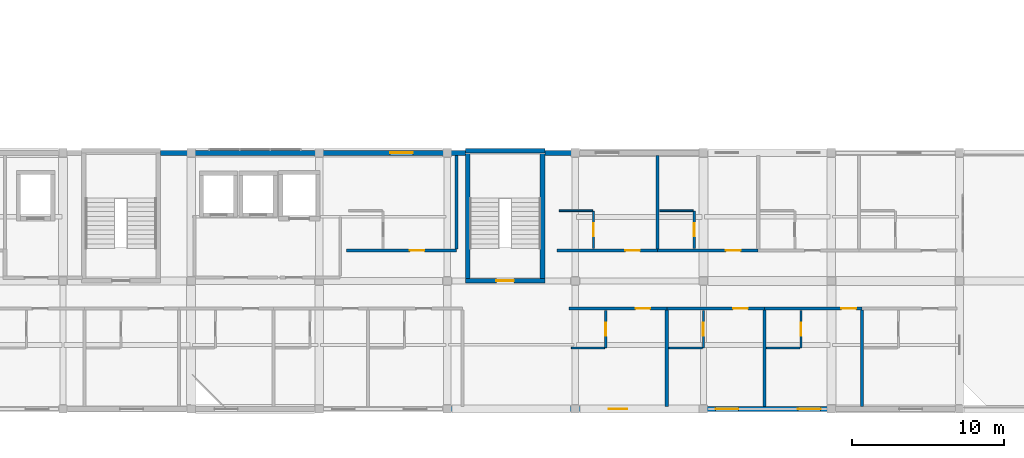
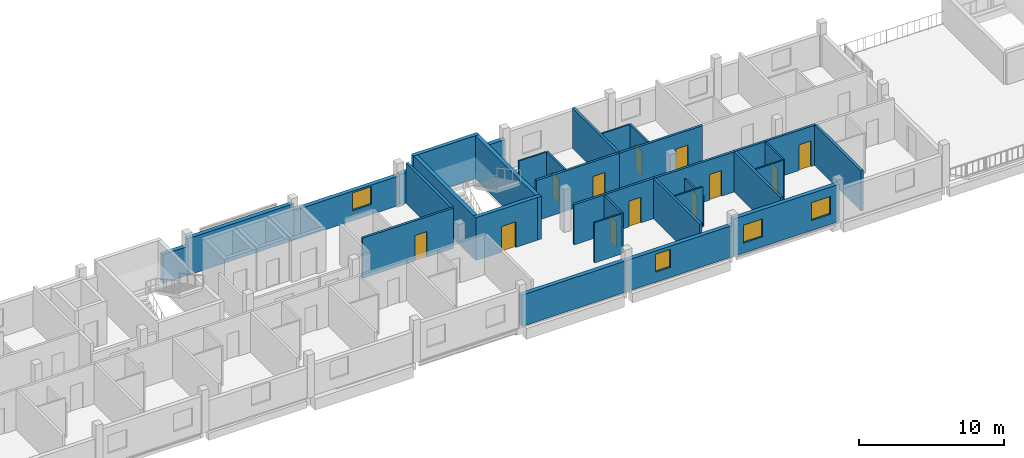
# One storey, part 19 of 26: 32 walls, 12 doors, 4 windows, 16 openings.
"""IFC4 building model written with IfcOpenShell, lengths in metres."""

from ifc_helpers import new_model, si_unit, derived_unit, direction, frame, frame_2d, origin, place, context, subcontext, project, spatial, rectangle, extrude, material, layer, layer_set, type_object, element, fill, save


model = new_model("IFC4")

# Units and contexts
model_context = context("Model", 3, precision=1e-05, world=origin(), true_north=direction((0.0, 1.0)))
body_context = subcontext(model_context, "Body", "Model", "MODEL_VIEW")
ifc_project = project(units=[si_unit("LENGTHUNIT", "METRE"), si_unit("AREAUNIT", "SQUARE_METRE"), si_unit("VOLUMEUNIT", "CUBIC_METRE"), si_unit("PLANEANGLEUNIT", "RADIAN"), si_unit("MASSUNIT", "GRAM", prefix="KILO"), derived_unit("THERMALTRANSMITTANCEUNIT", [(si_unit("POWERUNIT", "WATT"), 1), (si_unit("LENGTHUNIT", "METRE"), -2), (si_unit("THERMODYNAMICTEMPERATUREUNIT", "KELVIN"), -1)])], contexts=[model_context])

# Site, building, storey
site_placement = place(None, origin())
site = spatial("IfcSite", under=ifc_project, at=site_placement, CompositionType="ELEMENT")
building_placement = place(site_placement, origin())
building = spatial("IfcBuilding", under=site, at=building_placement, Name="Barrovel Congress Hotel", CompositionType="ELEMENT")
storey_placement = place(building_placement, frame((0.0, 0.0, 32.699951171875)))
storey = spatial("IfcBuildingStorey", under=building, at=storey_placement, Name="L08", CompositionType="ELEMENT", Elevation=32.699951171875)

# Wall, opening, window
ifc_material_1 = material(Name="Fired Clay Brick Masonry", Category="masonry")
ifc_layer_1 = layer(ifc_material_1, 0.320068359375)
ifc_layer_set_1 = layer_set([ifc_layer_1], Name="Fired Clay Brick Masonry")
wall_type_1 = type_object("IfcWallType", Name="EW-BRK320", PredefinedType="STANDARD", material=ifc_layer_set_1)
wall_1_placement = place(storey_placement, frame((100.800048828125, 4.199951171875, 0.0), z_axis=(0.0, 0.0, 1.0), x_axis=(1.0, 0.0, 0.0)))
wall_1 = element("IfcWall", 1, at=wall_1_placement, inside=storey, type_object=wall_type_1, Name="EW:L08:HS-S", PredefinedType="STANDARD", context=body_context, shape_type="SweptSolid", body=[
    extrude(rectangle(XDim=16.800048828125, YDim=0.320068359375, at=frame_2d((8.39990234375, 0.0))), origin(), (0.0, 0.0, 1.0), 2.630126953125),
])
opening_1_placement = place(wall_1_placement, frame((10.60009765625, 0.0, 0.85009765625)))
opening_1 = element("IfcOpeningElement", 2, at=opening_1_placement, cuts=wall_1, Name="Opening WN-06", PredefinedType="OPENING", context=body_context, shape_type="SweptSolid", body=[
    extrude(rectangle(XDim=1.199951171875, YDim=1.5, at=frame_2d((0.60009765625, 0.75))), frame((0.0, 0.169921875, 0.0), z_axis=(0.0, -1.0, 0.0), x_axis=(1.0, 0.0, 0.0)), (0.0, 0.0, 1.0), 0.340087890625),
])
ifc_material_2 = material(Name="Double Low-E Insulated Glazing", Category="glass")
window_type_1 = type_object("IfcWindowType", Name="WIN-WN-06", PartitioningType="SINGLE_PANEL", PredefinedType="WINDOW", material=ifc_material_2)
window_1_placement = place(opening_1_placement, origin())
window_1 = element("IfcWindow", 3, at=window_1_placement, inside=storey, type_object=window_type_1, Name="WIN:L08:U13", OverallHeight=1.5, OverallWidth=1.199951171875, PartitioningType="SINGLE_PANEL", PredefinedType="WINDOW", context=body_context, shape_type="SweptSolid", body=[
    extrude(rectangle(XDim=1.199951171875, YDim=1.5, at=frame_2d((0.60009765625, 0.75))), frame((0.0, 0.030029296875, 0.0), z_axis=(0.0, -1.0, 0.0), x_axis=(1.0, 0.0, 0.0)), (0.0, 0.0, 1.0), 0.06005859375),
])
fill(opening_1, window_1)

# Wall
wall_2_placement = place(storey_placement, frame((92.39990234375, 21.0, 0.0), z_axis=(0.0, 0.0, 1.0), x_axis=(-1.0, 0.0, 0.0)))
element("IfcWall", 4, at=wall_2_placement, inside=storey, type_object=wall_type_1, Name="EW:L08:HS-NE-2", PredefinedType="STANDARD", context=body_context, shape_type="SweptSolid", body=[
    extrude(rectangle(XDim=8.39990234375, YDim=0.320068359375, at=frame_2d((4.199951171875, 0.0))), origin(), (0.0, 0.0, 1.0), 3.070068359375),
])

# Wall, openings, windows
wall_3_placement = place(storey_placement, frame((117.60009765625, 4.199951171875, 0.0), z_axis=(0.0, 0.0, 1.0), x_axis=(1.0, 0.0, 0.0)))
wall_3 = element("IfcWall", 5, at=wall_3_placement, inside=storey, type_object=wall_type_1, Name="EW:L08:HS-S:P12", PredefinedType="STANDARD", context=body_context, shape_type="SweptSolid", body=[
    extrude(rectangle(XDim=8.39990234375, YDim=0.320068359375, at=frame_2d((4.199951171875, 0.0))), origin(), (0.0, 0.0, 1.0), 3.133056640625),
])
opening_2_placement = place(wall_3_placement, frame((0.800048828125, 0.0, 0.85009765625)))
opening_2 = element("IfcOpeningElement", 6, at=opening_2_placement, cuts=wall_3, Name="Opening WN-07", PredefinedType="OPENING", context=body_context, shape_type="SweptSolid", body=[
    extrude(rectangle(XDim=1.5, YDim=1.5, at=frame_2d((0.75, 0.75))), frame((0.0, 0.169921875, 0.0), z_axis=(0.0, -1.0, 0.0), x_axis=(1.0, 0.0, 0.0)), (0.0, 0.0, 1.0), 0.340087890625),
])
opening_3_placement = place(wall_3_placement, frame((6.199951171875, 0.0, 0.85009765625)))
opening_3 = element("IfcOpeningElement", 7, at=opening_3_placement, cuts=wall_3, Name="Opening WN-07", PredefinedType="OPENING", context=body_context, shape_type="SweptSolid", body=[
    extrude(rectangle(XDim=1.5, YDim=1.5, at=frame_2d((0.75, 0.75))), frame((0.0, 0.169921875, 0.0), z_axis=(0.0, -1.0, 0.0), x_axis=(1.0, 0.0, 0.0)), (0.0, 0.0, 1.0), 0.340087890625),
])
window_type_2 = type_object("IfcWindowType", Name="WIN-WN-07", PartitioningType="SINGLE_PANEL", PredefinedType="WINDOW", material=ifc_material_2)
window_2_placement = place(opening_2_placement, origin())
window_2 = element("IfcWindow", 8, at=window_2_placement, inside=storey, type_object=window_type_2, Name="WIN:L08:U14", OverallHeight=1.5, OverallWidth=1.5, PartitioningType="SINGLE_PANEL", PredefinedType="WINDOW", context=body_context, shape_type="SweptSolid", body=[
    extrude(rectangle(XDim=1.5, YDim=1.5, at=frame_2d((0.75, 0.75))), frame((0.0, 0.030029296875, 0.0), z_axis=(0.0, -1.0, 0.0), x_axis=(1.0, 0.0, 0.0)), (0.0, 0.0, 1.0), 0.06005859375),
])
fill(opening_2, window_2)
window_3_placement = place(opening_3_placement, origin())
window_3 = element("IfcWindow", 9, at=window_3_placement, inside=storey, type_object=window_type_2, Name="WIN:L08:U15", OverallHeight=1.5, OverallWidth=1.5, PartitioningType="SINGLE_PANEL", PredefinedType="WINDOW", context=body_context, shape_type="SweptSolid", body=[
    extrude(rectangle(XDim=1.5, YDim=1.5, at=frame_2d((0.75, 0.75))), frame((0.0, 0.030029296875, 0.0), z_axis=(0.0, -1.0, 0.0), x_axis=(1.0, 0.0, 0.0)), (0.0, 0.0, 1.0), 0.06005859375),
])
fill(opening_3, window_3)

# Walls
wall_4_placement = place(storey_placement, frame((109.199951171875, 21.0, 0.0), z_axis=(0.0, 0.0, 1.0), x_axis=(-1.0, 0.0, 0.0)))
element("IfcWall", 10, at=wall_4_placement, inside=storey, type_object=wall_type_1, Name="EW:L08:HS-NE-1:P03", PredefinedType="STANDARD", context=body_context, shape_type="SweptSolid", body=[
    extrude(rectangle(XDim=2.0, YDim=0.320068359375, at=frame_2d((1.0, 0.0))), origin(), (0.0, 0.0, 1.0), 2.580078125),
])
wall_5_placement = place(storey_placement, frame((102.0, 21.0, 0.0), z_axis=(0.0, 0.0, 1.0), x_axis=(-1.0, 0.0, 0.0)))
element("IfcWall", 11, at=wall_5_placement, inside=storey, type_object=wall_type_1, Name="EW:L08:HS-NE-2:P01", PredefinedType="STANDARD", context=body_context, shape_type="SweptSolid", body=[
    extrude(rectangle(XDim=1.199951171875, YDim=0.320068359375, at=frame_2d((0.60009765625, 0.0))), origin(), (0.0, 0.0, 1.0), 2.580078125),
])

# Wall, opening, window
wall_6_placement = place(storey_placement, frame((100.800048828125, 21.0, 0.0), z_axis=(0.0, 0.0, 1.0), x_axis=(-1.0, 0.0, 0.0)))
wall_6 = element("IfcWall", 12, at=wall_6_placement, inside=storey, type_object=wall_type_1, Name="EW:L08:HS-NE-2:P02", PredefinedType="STANDARD", context=body_context, shape_type="SweptSolid", body=[
    extrude(rectangle(XDim=8.400146484375, YDim=0.320068359375, at=frame_2d((4.2001953125, 0.0))), origin(), (0.0, 0.0, 1.0), 2.47998046875),
])
opening_4_placement = place(wall_6_placement, frame((2.25, 0.0, 0.85009765625)))
opening_4 = element("IfcOpeningElement", 13, at=opening_4_placement, cuts=wall_6, Name="Opening WN-07", PredefinedType="OPENING", context=body_context, shape_type="SweptSolid", body=[
    extrude(rectangle(XDim=1.5, YDim=1.5, at=frame_2d((0.75, 0.75))), frame((0.0, 0.169921875, 0.0), z_axis=(0.0, -1.0, 0.0), x_axis=(1.0, 0.0, 0.0)), (0.0, 0.0, 1.0), 0.340087890625),
])
window_4_placement = place(opening_4_placement, origin())
window_4 = element("IfcWindow", 14, at=window_4_placement, inside=storey, type_object=window_type_2, Name="WIN:L08:U20", OverallHeight=1.5, OverallWidth=1.5, PartitioningType="SINGLE_PANEL", PredefinedType="WINDOW", context=body_context, shape_type="SweptSolid", body=[
    extrude(rectangle(XDim=1.5, YDim=1.5, at=frame_2d((0.75, 0.75))), frame((0.0, 0.030029296875, 0.0), z_axis=(0.0, -1.0, 0.0), x_axis=(1.0, 0.0, 0.0)), (0.0, 0.0, 1.0), 0.06005859375),
])
fill(opening_4, window_4)

# Wall
wall_7_placement = place(storey_placement, frame((84.0, 21.0, 0.0), z_axis=(0.0, 0.0, 1.0), x_axis=(-1.0, 0.0, 0.0)))
element("IfcWall", 15, at=wall_7_placement, inside=storey, type_object=wall_type_1, Name="EW:L08:HS-NE-2:P04", PredefinedType="STANDARD", context=body_context, shape_type="SweptSolid", body=[
    extrude(rectangle(XDim=2.0, YDim=0.320068359375, at=frame_2d((1.0, 0.0))), origin(), (0.0, 0.0, 1.0), 2.429931640625),
])

# Wall, opening, door
ifc_material_3 = material(Name="Gypsum Acoustic Stud", Category="gypsum")
ifc_layer_2 = layer(ifc_material_3, 0.179931640625)
ifc_layer_set_2 = layer_set([ifc_layer_2], Name="Gypsum Acoustic Stud")
wall_type_2 = type_object("IfcWallType", Name="PW-ACU-180", PredefinedType="PARTITIONING", material=ifc_layer_set_2)
wall_8_placement = place(storey_placement, frame((108.800048828125, 10.800048828125, 0.0), z_axis=(0.0, 0.0, 1.0), x_axis=(1.0, 0.0, 0.0)))
wall_8 = element("IfcWall", 16, at=wall_8_placement, inside=storey, type_object=wall_type_2, Name="PW:L08:U13:COR", PredefinedType="PARTITIONING", context=body_context, shape_type="SweptSolid", body=[
    extrude(rectangle(XDim=6.39990234375, YDim=0.179931640625, at=frame_2d((3.199951171875, 0.0))), origin(), (0.0, 0.0, 1.0), 3.375),
])
opening_5_placement = place(wall_8_placement, frame((4.35498046875, 0.0, 0.0)))
opening_5 = element("IfcOpeningElement", 17, at=opening_5_placement, cuts=wall_8, Name="Opening ID-HTL", PredefinedType="OPENING", context=body_context, shape_type="SweptSolid", body=[
    extrude(rectangle(XDim=0.9599609375, YDim=2.14990234375, at=frame_2d((0.47998046875, 1.074951171875))), frame((0.0, 0.10009765625, 0.0), z_axis=(0.0, -1.0, 0.0), x_axis=(1.0, 0.0, 0.0)), (0.0, 0.0, 1.0), 0.199951171875),
])
ifc_material_4 = material(Name="Solid Oak Acoustic Timber Door", Category="wood")
door_type_1 = type_object("IfcDoorType", Name="IDR-ID-HTL", OperationType="NOTDEFINED", PredefinedType="DOOR", material=ifc_material_4)
door_1_placement = place(opening_5_placement, origin())
door_1 = element("IfcDoor", 18, at=door_1_placement, inside=storey, type_object=door_type_1, Name="DR:L08:U13:ENT", OperationType="SINGLE_SWING_RIGHT", OverallHeight=2.14990234375, OverallWidth=0.9599609375, PredefinedType="DOOR", context=body_context, shape_type="SweptSolid", body=[
    extrude(rectangle(XDim=0.9599609375, YDim=2.14990234375, at=frame_2d((0.47998046875, 1.074951171875))), frame((0.0, 0.02490234375, 0.0), z_axis=(0.0, -1.0, 0.0), x_axis=(1.0, 0.0, 0.0)), (0.0, 0.0, 1.0), 0.050048828125),
])
fill(opening_5, door_1)

wall_9_placement = place(storey_placement, frame((115.199951171875, 10.800048828125, 0.0), z_axis=(0.0, 0.0, 1.0), x_axis=(1.0, 0.0, 0.0)))
wall_9 = element("IfcWall", 19, at=wall_9_placement, inside=storey, type_object=wall_type_2, Name="PW:L08:U14:COR", PredefinedType="PARTITIONING", context=body_context, shape_type="SweptSolid", body=[
    extrude(rectangle(XDim=6.400146484375, YDim=0.179931640625, at=frame_2d((3.2001953125, 0.0))), origin(), (0.0, 0.0, 1.0), 3.375),
])
opening_6_placement = place(wall_9_placement, frame((4.35498046875, 0.0, 0.0)))
opening_6 = element("IfcOpeningElement", 20, at=opening_6_placement, cuts=wall_9, Name="Opening ID-HTL", PredefinedType="OPENING", context=body_context, shape_type="SweptSolid", body=[
    extrude(rectangle(XDim=0.9599609375, YDim=2.14990234375, at=frame_2d((0.47998046875, 1.074951171875))), frame((0.0, 0.10009765625, 0.0), z_axis=(0.0, -1.0, 0.0), x_axis=(1.0, 0.0, 0.0)), (0.0, 0.0, 1.0), 0.199951171875),
])
door_2_placement = place(opening_6_placement, origin())
door_2 = element("IfcDoor", 21, at=door_2_placement, inside=storey, type_object=door_type_1, Name="DR:L08:U14:ENT", OperationType="SINGLE_SWING_RIGHT", OverallHeight=2.14990234375, OverallWidth=0.9599609375, PredefinedType="DOOR", context=body_context, shape_type="SweptSolid", body=[
    extrude(rectangle(XDim=0.9599609375, YDim=2.14990234375, at=frame_2d((0.47998046875, 1.074951171875))), frame((0.0, 0.02490234375, 0.0), z_axis=(0.0, -1.0, 0.0), x_axis=(1.0, 0.0, 0.0)), (0.0, 0.0, 1.0), 0.050048828125),
])
fill(opening_6, door_2)

wall_10_placement = place(storey_placement, frame((121.60009765625, 10.800048828125, 0.0), z_axis=(0.0, 0.0, 1.0), x_axis=(1.0, 0.0, 0.0)))
wall_10 = element("IfcWall", 22, at=wall_10_placement, inside=storey, type_object=wall_type_2, Name="PW:L08:U15:COR", PredefinedType="PARTITIONING", context=body_context, shape_type="SweptSolid", body=[
    extrude(rectangle(XDim=6.39990234375, YDim=0.179931640625, at=frame_2d((3.199951171875, 0.0))), origin(), (0.0, 0.0, 1.0), 3.375),
])
opening_7_placement = place(wall_10_placement, frame((5.054931640625, 0.0, 0.0)))
opening_7 = element("IfcOpeningElement", 23, at=opening_7_placement, cuts=wall_10, Name="Opening ID-HTL", PredefinedType="OPENING", context=body_context, shape_type="SweptSolid", body=[
    extrude(rectangle(XDim=0.9599609375, YDim=2.14990234375, at=frame_2d((0.47998046875, 1.074951171875))), frame((0.0, 0.10009765625, 0.0), z_axis=(0.0, -1.0, 0.0), x_axis=(1.0, 0.0, 0.0)), (0.0, 0.0, 1.0), 0.199951171875),
])
door_3_placement = place(opening_7_placement, origin())
door_3 = element("IfcDoor", 24, at=door_3_placement, inside=storey, type_object=door_type_1, Name="DR:L08:U15:ENT", OperationType="SINGLE_SWING_RIGHT", OverallHeight=2.14990234375, OverallWidth=0.9599609375, PredefinedType="DOOR", context=body_context, shape_type="SweptSolid", body=[
    extrude(rectangle(XDim=0.9599609375, YDim=2.14990234375, at=frame_2d((0.47998046875, 1.074951171875))), frame((0.0, 0.02490234375, 0.0), z_axis=(0.0, -1.0, 0.0), x_axis=(1.0, 0.0, 0.0)), (0.0, 0.0, 1.0), 0.050048828125),
])
fill(opening_7, door_3)

wall_11_placement = place(storey_placement, frame((94.199951171875, 14.60009765625, 0.0), z_axis=(0.0, 0.0, 1.0), x_axis=(1.0, 0.0, 0.0)))
wall_11 = element("IfcWall", 25, at=wall_11_placement, inside=storey, type_object=wall_type_2, Name="PW:L08:U20:COR", PredefinedType="PARTITIONING", context=body_context, shape_type="SweptSolid", body=[
    extrude(rectangle(XDim=7.199951171875, YDim=0.179931640625, at=frame_2d((3.60009765625, 0.0))), origin(), (0.0, 0.0, 1.0), 3.375),
])
opening_8_placement = place(wall_11_placement, frame((4.15087890625, 0.0, 0.0)))
opening_8 = element("IfcOpeningElement", 26, at=opening_8_placement, cuts=wall_11, Name="Opening ID-HTL", PredefinedType="OPENING", context=body_context, shape_type="SweptSolid", body=[
    extrude(rectangle(XDim=0.9599609375, YDim=2.14990234375, at=frame_2d((0.47998046875, 1.074951171875))), frame((0.0, 0.10009765625, 0.0), z_axis=(0.0, -1.0, 0.0), x_axis=(1.0, 0.0, 0.0)), (0.0, 0.0, 1.0), 0.199951171875),
])
door_4_placement = place(opening_8_placement, origin())
door_4 = element("IfcDoor", 27, at=door_4_placement, inside=storey, type_object=door_type_1, Name="DR:L08:U20:ENT", OperationType="SINGLE_SWING_RIGHT", OverallHeight=2.14990234375, OverallWidth=0.9599609375, PredefinedType="DOOR", context=body_context, shape_type="SweptSolid", body=[
    extrude(rectangle(XDim=0.9599609375, YDim=2.14990234375, at=frame_2d((0.47998046875, 1.074951171875))), frame((0.0, 0.02490234375, 0.0), z_axis=(0.0, -1.0, 0.0), x_axis=(1.0, 0.0, 0.0)), (0.0, 0.0, 1.0), 0.050048828125),
])
fill(opening_8, door_4)

wall_12_placement = place(storey_placement, frame((108.0, 14.60009765625, 0.0), z_axis=(0.0, 0.0, 1.0), x_axis=(1.0, 0.0, 0.0)))
wall_12 = element("IfcWall", 28, at=wall_12_placement, inside=storey, type_object=wall_type_2, Name="PW:L08:U21:COR", PredefinedType="PARTITIONING", context=body_context, shape_type="SweptSolid", body=[
    extrude(rectangle(XDim=6.60009765625, YDim=0.179931640625, at=frame_2d((3.300048828125, 0.0))), origin(), (0.0, 0.0, 1.0), 3.375),
])
opening_9_placement = place(wall_12_placement, frame((4.47900390625, 0.0, 0.0)))
opening_9 = element("IfcOpeningElement", 29, at=opening_9_placement, cuts=wall_12, Name="Opening ID-HTL", PredefinedType="OPENING", context=body_context, shape_type="SweptSolid", body=[
    extrude(rectangle(XDim=0.9599609375, YDim=2.14990234375, at=frame_2d((0.47998046875, 1.074951171875))), frame((0.0, 0.10009765625, 0.0), z_axis=(0.0, -1.0, 0.0), x_axis=(1.0, 0.0, 0.0)), (0.0, 0.0, 1.0), 0.199951171875),
])
door_5_placement = place(opening_9_placement, origin())
door_5 = element("IfcDoor", 30, at=door_5_placement, inside=storey, type_object=door_type_1, Name="DR:L08:U21:ENT", OperationType="SINGLE_SWING_RIGHT", OverallHeight=2.14990234375, OverallWidth=0.9599609375, PredefinedType="DOOR", context=body_context, shape_type="SweptSolid", body=[
    extrude(rectangle(XDim=0.9599609375, YDim=2.14990234375, at=frame_2d((0.47998046875, 1.074951171875))), frame((0.0, 0.02490234375, 0.0), z_axis=(0.0, -1.0, 0.0), x_axis=(1.0, 0.0, 0.0)), (0.0, 0.0, 1.0), 0.050048828125),
])
fill(opening_9, door_5)

wall_13_placement = place(storey_placement, frame((114.60009765625, 14.60009765625, 0.0), z_axis=(0.0, 0.0, 1.0), x_axis=(1.0, 0.0, 0.0)))
wall_13 = element("IfcWall", 31, at=wall_13_placement, inside=storey, type_object=wall_type_2, Name="PW:L08:U22:COR", PredefinedType="PARTITIONING", context=body_context, shape_type="SweptSolid", body=[
    extrude(rectangle(XDim=6.599853515625, YDim=0.179931640625, at=frame_2d((3.2998046875, 0.0))), origin(), (0.0, 0.0, 1.0), 3.375),
])
opening_10_placement = place(wall_13_placement, frame((4.47900390625, 0.0, 0.0)))
opening_10 = element("IfcOpeningElement", 32, at=opening_10_placement, cuts=wall_13, Name="Opening ID-HTL", PredefinedType="OPENING", context=body_context, shape_type="SweptSolid", body=[
    extrude(rectangle(XDim=0.9599609375, YDim=2.14990234375, at=frame_2d((0.47998046875, 1.074951171875))), frame((0.0, 0.10009765625, 0.0), z_axis=(0.0, -1.0, 0.0), x_axis=(1.0, 0.0, 0.0)), (0.0, 0.0, 1.0), 0.199951171875),
])
door_6_placement = place(opening_10_placement, origin())
door_6 = element("IfcDoor", 33, at=door_6_placement, inside=storey, type_object=door_type_1, Name="DR:L08:U22:ENT", OperationType="SINGLE_SWING_RIGHT", OverallHeight=2.14990234375, OverallWidth=0.9599609375, PredefinedType="DOOR", context=body_context, shape_type="SweptSolid", body=[
    extrude(rectangle(XDim=0.9599609375, YDim=2.14990234375, at=frame_2d((0.47998046875, 1.074951171875))), frame((0.0, 0.02490234375, 0.0), z_axis=(0.0, -1.0, 0.0), x_axis=(1.0, 0.0, 0.0)), (0.0, 0.0, 1.0), 0.050048828125),
])
fill(opening_10, door_6)

# Walls
ifc_layer_3 = layer(ifc_material_3, 0.1201171875)
ifc_layer_set_3 = layer_set([ifc_layer_3], Name="Gypsum Acoustic Stud")
wall_type_3 = type_object("IfcWallType", Name="PW-INT-120", PredefinedType="PARTITIONING", material=ifc_layer_set_3)
for number, where, z_axis, x_axis, name in (
    (34, (108.93994140625, 8.199951171875, 0.0), (0.0, 0.0, 1.0), (1.0, 0.0, 0.0), "PW:L08:U13:B2"),
    (35, (115.340087890625, 8.199951171875, 0.0), (0.0, 0.0, 1.0), (1.0, 0.0, 0.0), "PW:L08:U14:B2"),
    (36, (121.739990234375, 8.199951171875, 0.0), (0.0, 0.0, 1.0), (1.0, 0.0, 0.0), "PW:L08:U15:B2"),
):
    element("IfcWall", number, at=place(storey_placement, frame(where, z_axis=z_axis, x_axis=x_axis)), inside=storey, type_object=wall_type_3, Name=name, PredefinedType="PARTITIONING", context=body_context, shape_type="SweptSolid", body=[
        extrude(rectangle(XDim=2.18994140625, YDim=0.1201171875, at=frame_2d((1.094970703125, 0.0))), origin(), (0.0, 0.0, 1.0), 3.375),
    ])
wall_14_placement = place(storey_placement, frame((108.139892578125, 17.199951171875, 0.0), z_axis=(0.0, 0.0, 1.0), x_axis=(1.0, 0.0, 0.0)))
element("IfcWall", 37, at=wall_14_placement, inside=storey, type_object=wall_type_3, Name="PW:L08:U21:B2", PredefinedType="PARTITIONING", context=body_context, shape_type="SweptSolid", body=[
    extrude(rectangle(XDim=2.190185546875, YDim=0.1201171875, at=frame_2d((1.09521484375, 0.0))), origin(), (0.0, 0.0, 1.0), 3.375),
])
wall_15_placement = place(storey_placement, frame((114.739990234375, 17.199951171875, 0.0), z_axis=(0.0, 0.0, 1.0), x_axis=(1.0, 0.0, 0.0)))
element("IfcWall", 38, at=wall_15_placement, inside=storey, type_object=wall_type_3, Name="PW:L08:U22:B2", PredefinedType="PARTITIONING", context=body_context, shape_type="SweptSolid", body=[
    extrude(rectangle(XDim=2.18994140625, YDim=0.1201171875, at=frame_2d((1.094970703125, 0.0))), origin(), (0.0, 0.0, 1.0), 3.375),
])
ifc_layer_4 = layer(ifc_material_1, 0.199951171875)
ifc_layer_set_4 = layer_set([ifc_layer_4], Name="Fired Clay Brick Masonry")
wall_type_4 = type_object("IfcWallType", Name="PW-MAS-200", PredefinedType="PARTITIONING", material=ifc_layer_set_4)
for number, where, z_axis, x_axis, name in (
    (39, (115.199951171875, 4.360107421875, 0.0), (0.0, 0.0, 1.0), (0.0, 1.0, 0.0), "PW:L08:U13:DEM"),
    (40, (121.60009765625, 4.360107421875, 0.0), (0.0, 0.0, 1.0), (0.0, 1.0, 0.0), "PW:L08:U14:DEM"),
    (41, (128.0, 4.360107421875, 0.0), (0.0, 0.0, 1.0), (0.0, 1.0, 0.0), "PW:L08:U15:DEM"),
):
    element("IfcWall", number, at=place(storey_placement, frame(where, z_axis=z_axis, x_axis=x_axis)), inside=storey, type_object=wall_type_4, Name=name, PredefinedType="PARTITIONING", context=body_context, shape_type="SweptSolid", body=[
        extrude(rectangle(XDim=6.349853515625, YDim=0.199951171875, at=frame_2d((3.1748046875, 0.0))), origin(), (0.0, 0.0, 1.0), 3.375),
    ])
for number, where, z_axis, x_axis, name in (
    (42, (101.39990234375, 14.68994140625, 0.0), (0.0, 0.0, 1.0), (0.0, 1.0, 0.0), "PW:L08:U20:DEM"),
    (43, (114.60009765625, 14.68994140625, 0.0), (0.0, 0.0, 1.0), (0.0, 1.0, 0.0), "PW:L08:U21:DEM"),
):
    element("IfcWall", number, at=place(storey_placement, frame(where, z_axis=z_axis, x_axis=x_axis)), inside=storey, type_object=wall_type_4, Name=name, PredefinedType="PARTITIONING", context=body_context, shape_type="SweptSolid", body=[
        extrude(rectangle(XDim=6.150146484375, YDim=0.199951171875, at=frame_2d((3.0751953125, 0.0))), origin(), (0.0, 0.0, 1.0), 3.375),
    ])

# Wall, opening, door
ifc_material_5 = material(Name="Gypsum Moisture Board", Category="gypsum")
ifc_layer_5 = layer(ifc_material_5, 0.139892578125)
ifc_layer_set_5 = layer_set([ifc_layer_5], Name="Gypsum Moisture Board")
wall_type_5 = type_object("IfcWallType", Name="PW-WET-140", PredefinedType="PARTITIONING", material=ifc_layer_set_5)
wall_16_placement = place(storey_placement, frame((111.199951171875, 8.199951171875, 0.0), z_axis=(0.0, 0.0, 1.0), x_axis=(0.0, 1.0, 0.0)))
wall_16 = element("IfcWall", 44, at=wall_16_placement, inside=storey, type_object=wall_type_5, Name="PW:L08:U13:B1", PredefinedType="PARTITIONING", context=body_context, shape_type="SweptSolid", body=[
    extrude(rectangle(XDim=2.4599609375, YDim=0.139892578125, at=frame_2d((1.22998046875, 0.0))), origin(), (0.0, 0.0, 1.0), 3.375),
])
opening_11_placement = place(wall_16_placement, frame((0.800048828125, 0.0, 0.0)))
opening_11 = element("IfcOpeningElement", 45, at=opening_11_placement, cuts=wall_16, Name="Opening ID-ENS", PredefinedType="OPENING", context=body_context, shape_type="SweptSolid", body=[
    extrude(rectangle(XDim=0.860107421875, YDim=2.10009765625, at=frame_2d((0.43017578125, 1.050048828125))), frame((0.0, 0.080078125, 0.0), z_axis=(0.0, -1.0, 0.0), x_axis=(1.0, 0.0, 0.0)), (0.0, 0.0, 1.0), 0.159912109375),
])
ifc_material_6 = material(Name="Lacquered Timber Moisture Door", Category="wood")
door_type_2 = type_object("IfcDoorType", Name="IDR-ID-ENS", OperationType="NOTDEFINED", PredefinedType="DOOR", material=ifc_material_6)
door_7_placement = place(opening_11_placement, origin())
door_7 = element("IfcDoor", 46, at=door_7_placement, inside=storey, type_object=door_type_2, Name="DR:L08:U13:ENS", OperationType="SINGLE_SWING_LEFT", OverallHeight=2.10009765625, OverallWidth=0.860107421875, PredefinedType="DOOR", context=body_context, shape_type="SweptSolid", body=[
    extrude(rectangle(XDim=0.860107421875, YDim=2.10009765625, at=frame_2d((0.43017578125, 1.050048828125))), frame((0.0, 0.02490234375, 0.0), z_axis=(0.0, -1.0, 0.0), x_axis=(1.0, 0.0, 0.0)), (0.0, 0.0, 1.0), 0.050048828125),
])
fill(opening_11, door_7)

wall_17_placement = place(storey_placement, frame((117.60009765625, 8.199951171875, 0.0), z_axis=(0.0, 0.0, 1.0), x_axis=(0.0, 1.0, 0.0)))
wall_17 = element("IfcWall", 47, at=wall_17_placement, inside=storey, type_object=wall_type_5, Name="PW:L08:U14:B1", PredefinedType="PARTITIONING", context=body_context, shape_type="SweptSolid", body=[
    extrude(rectangle(XDim=2.4599609375, YDim=0.139892578125, at=frame_2d((1.22998046875, 0.0))), origin(), (0.0, 0.0, 1.0), 2.530029296875),
])
opening_12_placement = place(wall_17_placement, frame((0.800048828125, 0.0, 0.0)))
opening_12 = element("IfcOpeningElement", 48, at=opening_12_placement, cuts=wall_17, Name="Opening ID-ENS", PredefinedType="OPENING", context=body_context, shape_type="SweptSolid", body=[
    extrude(rectangle(XDim=0.860107421875, YDim=2.10009765625, at=frame_2d((0.43017578125, 1.050048828125))), frame((0.0, 0.080078125, 0.0), z_axis=(0.0, -1.0, 0.0), x_axis=(1.0, 0.0, 0.0)), (0.0, 0.0, 1.0), 0.159912109375),
])
door_8_placement = place(opening_12_placement, origin())
door_8 = element("IfcDoor", 49, at=door_8_placement, inside=storey, type_object=door_type_2, Name="DR:L08:U14:ENS", OperationType="SINGLE_SWING_LEFT", OverallHeight=2.10009765625, OverallWidth=0.860107421875, PredefinedType="DOOR", context=body_context, shape_type="SweptSolid", body=[
    extrude(rectangle(XDim=0.860107421875, YDim=2.10009765625, at=frame_2d((0.43017578125, 1.050048828125))), frame((0.0, 0.02490234375, 0.0), z_axis=(0.0, -1.0, 0.0), x_axis=(1.0, 0.0, 0.0)), (0.0, 0.0, 1.0), 0.050048828125),
])
fill(opening_12, door_8)

wall_18_placement = place(storey_placement, frame((124.0, 8.199951171875, 0.0), z_axis=(0.0, 0.0, 1.0), x_axis=(0.0, 1.0, 0.0)))
wall_18 = element("IfcWall", 50, at=wall_18_placement, inside=storey, type_object=wall_type_5, Name="PW:L08:U15:B1", PredefinedType="PARTITIONING", context=body_context, shape_type="SweptSolid", body=[
    extrude(rectangle(XDim=2.4599609375, YDim=0.139892578125, at=frame_2d((1.22998046875, 0.0))), origin(), (0.0, 0.0, 1.0), 3.375),
])
opening_13_placement = place(wall_18_placement, frame((0.800048828125, 0.0, 0.0)))
opening_13 = element("IfcOpeningElement", 51, at=opening_13_placement, cuts=wall_18, Name="Opening ID-ENS", PredefinedType="OPENING", context=body_context, shape_type="SweptSolid", body=[
    extrude(rectangle(XDim=0.860107421875, YDim=2.10009765625, at=frame_2d((0.43017578125, 1.050048828125))), frame((0.0, 0.080078125, 0.0), z_axis=(0.0, -1.0, 0.0), x_axis=(1.0, 0.0, 0.0)), (0.0, 0.0, 1.0), 0.159912109375),
])
door_9_placement = place(opening_13_placement, origin())
door_9 = element("IfcDoor", 52, at=door_9_placement, inside=storey, type_object=door_type_2, Name="DR:L08:U15:ENS", OperationType="SINGLE_SWING_LEFT", OverallHeight=2.10009765625, OverallWidth=0.860107421875, PredefinedType="DOOR", context=body_context, shape_type="SweptSolid", body=[
    extrude(rectangle(XDim=0.860107421875, YDim=2.10009765625, at=frame_2d((0.43017578125, 1.050048828125))), frame((0.0, 0.02490234375, 0.0), z_axis=(0.0, -1.0, 0.0), x_axis=(1.0, 0.0, 0.0)), (0.0, 0.0, 1.0), 0.050048828125),
])
fill(opening_13, door_9)

wall_19_placement = place(storey_placement, frame((110.39990234375, 14.739990234375, 0.0), z_axis=(0.0, 0.0, 1.0), x_axis=(0.0, 1.0, 0.0)))
wall_19 = element("IfcWall", 53, at=wall_19_placement, inside=storey, type_object=wall_type_5, Name="PW:L08:U21:B1", PredefinedType="PARTITIONING", context=body_context, shape_type="SweptSolid", body=[
    extrude(rectangle(XDim=2.4599609375, YDim=0.139892578125, at=frame_2d((1.22998046875, 0.0))), origin(), (0.0, 0.0, 1.0), 3.375),
])
opening_14_placement = place(wall_19_placement, frame((0.800048828125, 0.0, 0.0)))
opening_14 = element("IfcOpeningElement", 54, at=opening_14_placement, cuts=wall_19, Name="Opening ID-ENS", PredefinedType="OPENING", context=body_context, shape_type="SweptSolid", body=[
    extrude(rectangle(XDim=0.860107421875, YDim=2.10009765625, at=frame_2d((0.43017578125, 1.050048828125))), frame((0.0, 0.080078125, 0.0), z_axis=(0.0, -1.0, 0.0), x_axis=(1.0, 0.0, 0.0)), (0.0, 0.0, 1.0), 0.159912109375),
])
door_10_placement = place(opening_14_placement, origin())
door_10 = element("IfcDoor", 55, at=door_10_placement, inside=storey, type_object=door_type_2, Name="DR:L08:U21:ENS", OperationType="SINGLE_SWING_LEFT", OverallHeight=2.10009765625, OverallWidth=0.860107421875, PredefinedType="DOOR", context=body_context, shape_type="SweptSolid", body=[
    extrude(rectangle(XDim=0.860107421875, YDim=2.10009765625, at=frame_2d((0.43017578125, 1.050048828125))), frame((0.0, 0.02490234375, 0.0), z_axis=(0.0, -1.0, 0.0), x_axis=(1.0, 0.0, 0.0)), (0.0, 0.0, 1.0), 0.050048828125),
])
fill(opening_14, door_10)

wall_20_placement = place(storey_placement, frame((117.0, 14.739990234375, 0.0), z_axis=(0.0, 0.0, 1.0), x_axis=(0.0, 1.0, 0.0)))
wall_20 = element("IfcWall", 56, at=wall_20_placement, inside=storey, type_object=wall_type_5, Name="PW:L08:U22:B1", PredefinedType="PARTITIONING", context=body_context, shape_type="SweptSolid", body=[
    extrude(rectangle(XDim=2.4599609375, YDim=0.139892578125, at=frame_2d((1.22998046875, 0.0))), origin(), (0.0, 0.0, 1.0), 3.375),
])
opening_15_placement = place(wall_20_placement, frame((0.800048828125, 0.0, 0.0)))
opening_15 = element("IfcOpeningElement", 57, at=opening_15_placement, cuts=wall_20, Name="Opening ID-ENS", PredefinedType="OPENING", context=body_context, shape_type="SweptSolid", body=[
    extrude(rectangle(XDim=0.860107421875, YDim=2.10009765625, at=frame_2d((0.43017578125, 1.050048828125))), frame((0.0, 0.080078125, 0.0), z_axis=(0.0, -1.0, 0.0), x_axis=(1.0, 0.0, 0.0)), (0.0, 0.0, 1.0), 0.159912109375),
])
door_11_placement = place(opening_15_placement, origin())
door_11 = element("IfcDoor", 58, at=door_11_placement, inside=storey, type_object=door_type_2, Name="DR:L08:U22:ENS", OperationType="SINGLE_SWING_LEFT", OverallHeight=2.10009765625, OverallWidth=0.860107421875, PredefinedType="DOOR", context=body_context, shape_type="SweptSolid", body=[
    extrude(rectangle(XDim=0.860107421875, YDim=2.10009765625, at=frame_2d((0.43017578125, 1.050048828125))), frame((0.0, 0.02490234375, 0.0), z_axis=(0.0, -1.0, 0.0), x_axis=(1.0, 0.0, 0.0)), (0.0, 0.0, 1.0), 0.050048828125),
])
fill(opening_15, door_11)

ifc_material_7 = material(Name="Concrete C40", Category="concrete")
ifc_layer_6 = layer(ifc_material_7, 0.300048828125)
ifc_layer_set_6 = layer_set([ifc_layer_6], Name="Concrete C40")
wall_type_6 = type_object("IfcWallType", Name="SW-C40-300", PredefinedType="SHEAR", material=ifc_layer_set_6)
wall_21_placement = place(storey_placement, frame((102.0, 12.610107421875, 0.0), z_axis=(0.0, 0.0, 1.0), x_axis=(1.0, 0.0, 0.0)))
wall_21 = element("IfcWall", 59, at=wall_21_placement, inside=storey, type_object=wall_type_6, Name="SHW:XS-03:L08:S", PredefinedType="SHEAR", context=body_context, shape_type="SweptSolid", body=[
    extrude(rectangle(XDim=5.199951171875, YDim=0.300048828125, at=frame_2d((2.60009765625, 0.0))), origin(), (0.0, 0.0, 1.0), 3.60009765625),
])
opening_16_placement = place(wall_21_placement, frame((2.02490234375, 0.0, 0.0)))
opening_16 = element("IfcOpeningElement", 60, at=opening_16_placement, cuts=wall_21, Name="Opening ID-ST1", PredefinedType="OPENING", context=body_context, shape_type="SweptSolid", body=[
    extrude(rectangle(XDim=1.14990234375, YDim=2.14990234375, at=frame_2d((0.574951171875, 1.074951171875))), frame((0.0, 0.16015625, 0.0), z_axis=(0.0, -1.0, 0.0), x_axis=(1.0, 0.0, 0.0)), (0.0, 0.0, 1.0), 0.320068359375),
])
ifc_material_8 = material(Name="Painted Hollow-Metal Steel Door", Category="steel")
door_type_3 = type_object("IfcDoorType", Name="IDR-ID-ST1", OperationType="NOTDEFINED", PredefinedType="DOOR", material=ifc_material_8)
door_12_placement = place(opening_16_placement, origin())
door_12 = element("IfcDoor", 61, at=door_12_placement, inside=storey, type_object=door_type_3, Name="Stair Core Fire Door XS-03-L08", OperationType="SINGLE_SWING_RIGHT", OverallHeight=2.14990234375, OverallWidth=1.14990234375, PredefinedType="DOOR", context=body_context, shape_type="SweptSolid", body=[
    extrude(rectangle(XDim=1.14990234375, YDim=2.14990234375, at=frame_2d((0.574951171875, 1.074951171875))), frame((0.0, 0.02490234375, 0.0), z_axis=(0.0, -1.0, 0.0), x_axis=(1.0, 0.0, 0.0)), (0.0, 0.0, 1.0), 0.050048828125),
])
fill(opening_16, door_12)

# Walls
wall_22_placement = place(storey_placement, frame((107.050048828125, 12.4599609375, 0.0), z_axis=(0.0, 0.0, 1.0), x_axis=(0.0, 1.0, 0.0)))
element("IfcWall", 62, at=wall_22_placement, inside=storey, type_object=wall_type_6, Name="SHW:XS-03:L08:E", PredefinedType="SHEAR", context=body_context, shape_type="SweptSolid", body=[
    extrude(rectangle(XDim=8.840087890625, YDim=0.300048828125, at=frame_2d((4.419921875, 0.0))), origin(), (0.0, 0.0, 1.0), 3.60009765625),
])
wall_23_placement = place(storey_placement, frame((107.199951171875, 21.14990234375, 0.0), z_axis=(0.0, 0.0, 1.0), x_axis=(-1.0, 0.0, 0.0)))
element("IfcWall", 63, at=wall_23_placement, inside=storey, type_object=wall_type_6, Name="SHW:XS-03:L08:N", PredefinedType="SHEAR", context=body_context, shape_type="SweptSolid", body=[
    extrude(rectangle(XDim=5.199951171875, YDim=0.300048828125, at=frame_2d((2.60009765625, 0.0))), origin(), (0.0, 0.0, 1.0), 3.60009765625),
])
wall_24_placement = place(storey_placement, frame((102.14990234375, 21.300048828125, 0.0), z_axis=(0.0, 0.0, 1.0), x_axis=(0.0, -1.0, 0.0)))
element("IfcWall", 64, at=wall_24_placement, inside=storey, type_object=wall_type_6, Name="SHW:XS-03:L08:W", PredefinedType="SHEAR", context=body_context, shape_type="SweptSolid", body=[
    extrude(rectangle(XDim=8.840087890625, YDim=0.300048828125, at=frame_2d((4.419921875, 0.0))), origin(), (0.0, 0.0, 1.0), 3.60009765625),
])

save(model, "model.ifc")
